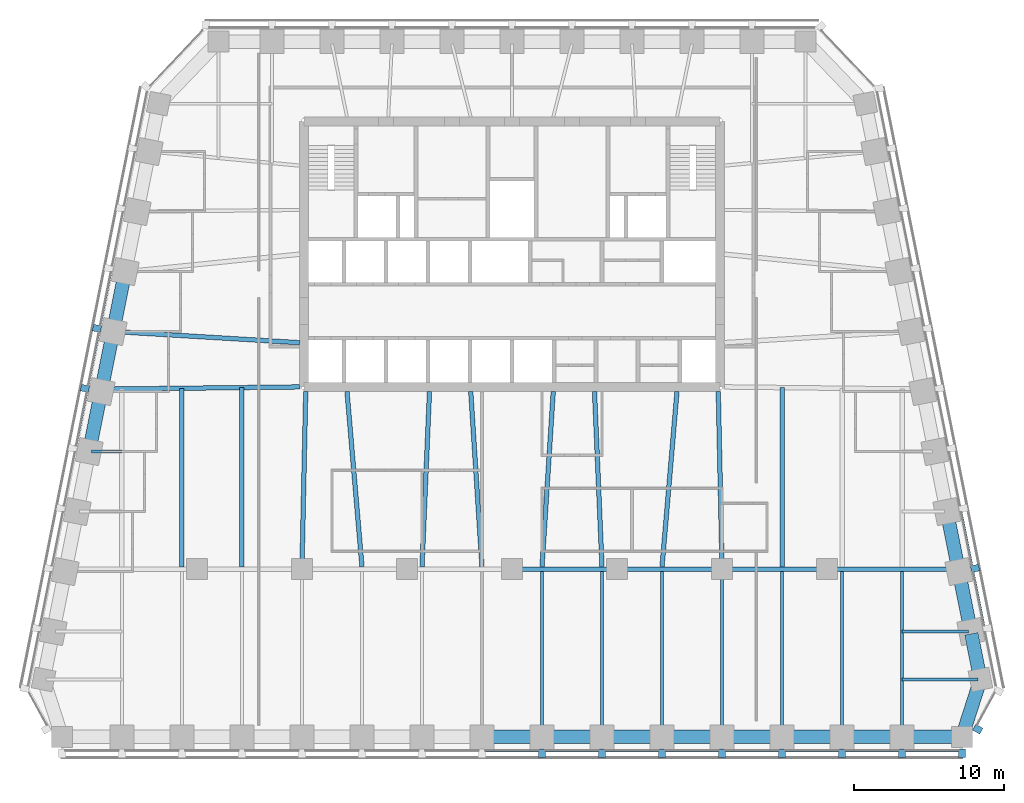
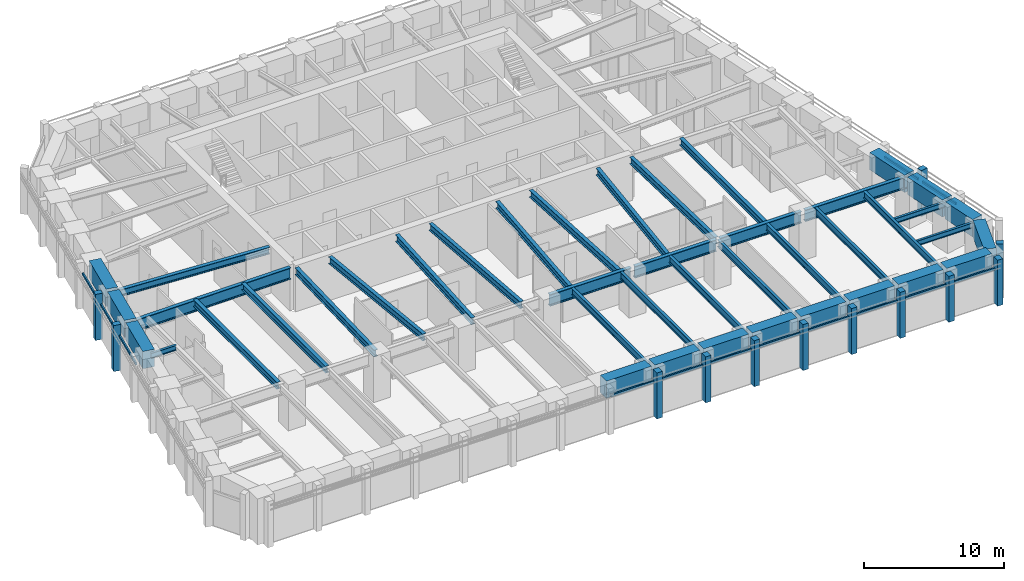
# One storey, part 2 of 10: 42 beams, 25 members, 4 elements without a shape of their own.
"""IFC4 building model written with IfcOpenShell, lengths in metres."""

from ifc_helpers import new_model, si_unit, direction, frame, origin, origin_2d, place, context, subcontext, project, spatial, rectangle, i_section, extrude, material, material_profile, profile_set, type_object, element, aggregate, save


model = new_model("IFC4")

# Units and contexts
model_context = context("Model", 3, precision=1e-05, world=origin(), true_north=direction((0.0, 1.0)))
body_context = subcontext(model_context, "Body", "Model", "MODEL_VIEW")
ifc_project = project(units=[si_unit("LENGTHUNIT", "METRE"), si_unit("AREAUNIT", "SQUARE_METRE"), si_unit("VOLUMEUNIT", "CUBIC_METRE"), si_unit("PLANEANGLEUNIT", "RADIAN"), si_unit("MASSUNIT", "GRAM", prefix="KILO")], contexts=[model_context])

# Site, building, storey
site_placement = place(None, origin())
site = spatial("IfcSite", under=ifc_project, at=site_placement, CompositionType="ELEMENT")
building_placement = place(site_placement, origin())
building = spatial("IfcBuilding", under=site, at=building_placement, Name="Isbrekke Arena Tower", CompositionType="ELEMENT")
storey_placement = place(building_placement, frame((0.0, 0.0, 194.0)))
storey = spatial("IfcBuildingStorey", under=building, at=storey_placement, Name="L44", CompositionType="ELEMENT", Elevation=194.0)

# Beams
ifc_material_1 = material(Name="Steel S355", Category="steel")
ifc_material_profile_1 = material_profile(ifc_material_1, i_section(OverallWidth=0.219970703125, OverallDepth=0.60009765625, WebThickness=0.011962890625, FlangeThickness=0.01904296875, FilletRadius=0.02392578125, at=origin_2d()), Name="IPE 600")
ifc_profile_set_1 = profile_set([ifc_material_profile_1], Name="Steel S355")
beam_type_1 = type_object("IfcBeamType", Name="B1 IPE 600", PredefinedType="BEAM", material=ifc_profile_set_1)
for number, where, z_axis, x_axis, name in (
    (1, (2.0, -17.02490234375, 3.550048828125), (0.0, 1.0, 0.0), (-1.0, 0.0, 0.0), "B1 beam S-S09 L44"),
    (2, (6.0, -17.02490234375, 3.550048828125), (0.0, 1.0, 0.0), (-1.0, 0.0, 0.0), "B1 beam S-S10 L44"),
    (3, (10.0, -17.02490234375, 3.550048828125), (0.0, 1.0, 0.0), (-1.0, 0.0, 0.0), "B1 beam S-S11 L44"),
):
    element("IfcBeam", number, at=place(storey_placement, frame(where, z_axis=z_axis, x_axis=x_axis)), inside=storey, type_object=beam_type_1, Name=name, PredefinedType="BEAM", context=body_context, shape_type="SweptSolid", body=[
        extrude(i_section(OverallWidth=0.219970703125, OverallDepth=0.60009765625, WebThickness=0.011962890625, FlangeThickness=0.01904296875, FilletRadius=0.02392578125, at=origin_2d()), origin(), (0.0, 0.0, 1.0), 10.8740234375),
    ])
beam_1_placement = place(storey_placement, frame((14.0, -17.02490234375, 3.550048828125), z_axis=(0.0, 1.0, 0.0), x_axis=(-1.0, 0.0, 0.0)))
element("IfcBeam", 4, at=beam_1_placement, inside=storey, type_object=beam_type_1, Name="B1 beam S-S12 L44", PredefinedType="BEAM", context=body_context, shape_type="SweptSolid", body=[
    extrude(i_section(OverallWidth=0.219970703125, OverallDepth=0.60009765625, WebThickness=0.011962890625, FlangeThickness=0.01904296875, FilletRadius=0.02392578125, at=origin_2d()), origin(), (0.0, 0.0, 1.0), 10.875),
])
for number, where, z_axis, x_axis, name in (
    (5, (18.0, -17.02490234375, 3.550048828125), (0.0, 1.0, 0.0), (-1.0, 0.0, 0.0), "B1 beam S-S13 L44"),
    (6, (22.0, -17.02490234375, 3.550048828125), (0.0, 1.0, 0.0), (-1.0, 0.0, 0.0), "B1 beam S-S14 L44"),
    (7, (26.0, -17.02490234375, 3.550048828125), (0.0, 1.0, 0.0), (-1.0, 0.0, 0.0), "B1 beam S-S15 L44"),
):
    element("IfcBeam", number, at=place(storey_placement, frame(where, z_axis=z_axis, x_axis=x_axis)), inside=storey, type_object=beam_type_1, Name=name, PredefinedType="BEAM", context=body_context, shape_type="SweptSolid", body=[
        extrude(i_section(OverallWidth=0.219970703125, OverallDepth=0.60009765625, WebThickness=0.011962890625, FlangeThickness=0.01904296875, FilletRadius=0.02392578125, at=origin_2d()), origin(), (0.0, 0.0, 1.0), 10.8740234375),
    ])
ifc_material_2 = material(Name="Steel S355", Category="steel")
ifc_material_profile_2 = material_profile(ifc_material_2, i_section(OverallWidth=0.18994140625, OverallDepth=0.449951171875, WebThickness=0.009521484375, FlangeThickness=0.0146484375, FilletRadius=0.02099609375, at=origin_2d()), Name="IPE 450")
ifc_profile_set_2 = profile_set([ifc_material_profile_2], Name="Steel S355")
beam_type_2 = type_object("IfcBeamType", Name="B2 IPE 450", PredefinedType="BEAM", material=ifc_profile_set_2)
beam_2_placement = place(storey_placement, frame((31.079345703125, -13.352783203125, 3.625), z_axis=(-1.0, 0.0, 0.0), x_axis=(0.0, -1.0, 0.0)))
element("IfcBeam", 8, at=beam_2_placement, inside=storey, type_object=beam_type_2, Name="B2 beam E-E01 L44", PredefinedType="BEAM", context=body_context, shape_type="SweptSolid", body=[
    extrude(i_section(OverallWidth=0.18994140625, OverallDepth=0.449951171875, WebThickness=0.009521484375, FlangeThickness=0.0146484375, FilletRadius=0.02099609375, at=origin_2d()), origin(), (0.0, 0.0, 1.0), 5.079345703125),
])
beam_3_placement = place(storey_placement, frame((30.44091796875, -10.161865234375, 3.625), z_axis=(-1.0, 0.0, 0.0), x_axis=(0.0, -1.0, 0.0)))
element("IfcBeam", 9, at=beam_3_placement, inside=storey, type_object=beam_type_2, Name="B2 beam E-E02 L44", PredefinedType="BEAM", context=body_context, shape_type="SweptSolid", body=[
    extrude(i_section(OverallWidth=0.18994140625, OverallDepth=0.449951171875, WebThickness=0.009521484375, FlangeThickness=0.0146484375, FilletRadius=0.02099609375, at=origin_2d()), origin(), (0.0, 0.0, 1.0), 4.44091796875),
])
beam_4_placement = place(storey_placement, frame((-28.041015625, 1.838134765625, 3.625), z_axis=(1.0, 0.0, 0.0), x_axis=(0.0, 1.0, 0.0)))
element("IfcBeam", 10, at=beam_4_placement, inside=storey, type_object=beam_type_2, Name="B2 beam E-W07 L44", PredefinedType="BEAM", context=body_context, shape_type="SweptSolid", body=[
    extrude(i_section(OverallWidth=0.18994140625, OverallDepth=0.449951171875, WebThickness=0.009521484375, FlangeThickness=0.0146484375, FilletRadius=0.02099609375, at=origin_2d()), origin(), (0.0, 0.0, 1.0), 2.041015625),
])
ifc_material_3 = material(Name="Steel S355", Category="steel")
ifc_material_profile_3 = material_profile(ifc_material_3, i_section(OverallWidth=0.300048828125, OverallDepth=0.60009765625, WebThickness=0.015380859375, FlangeThickness=0.030029296875, FilletRadius=0.027099609375, at=origin_2d()), Name="HEB 600")
ifc_profile_set_3 = profile_set([ifc_material_profile_3], Name="Steel S355")
beam_type_3 = type_object("IfcBeamType", Name="B7 HEB 600", PredefinedType="BEAM", material=ifc_profile_set_3)
beam_5_placement = place(storey_placement, frame((-22.0, -5.84912109375, 3.550048828125), z_axis=(0.0, 1.0, 0.0), x_axis=(-1.0, 0.0, 0.0)))
element("IfcBeam", 11, at=beam_5_placement, inside=storey, type_object=beam_type_3, Name="B7 beam C-M02 L44", PredefinedType="BEAM", context=body_context, shape_type="SweptSolid", body=[
    extrude(i_section(OverallWidth=0.300048828125, OverallDepth=0.60009765625, WebThickness=0.015380859375, FlangeThickness=0.030029296875, FilletRadius=0.027099609375, at=origin_2d()), origin(), (0.0, 0.0, 1.0), 11.91015625),
])
beam_6_placement = place(storey_placement, frame((-18.0, -5.84912109375, 3.550048828125), z_axis=(0.0, 1.0, 0.0), x_axis=(-1.0, 0.0, 0.0)))
element("IfcBeam", 12, at=beam_6_placement, inside=storey, type_object=beam_type_3, Name="B7 beam C-M03 L44", PredefinedType="BEAM", context=body_context, shape_type="SweptSolid", body=[
    extrude(i_section(OverallWidth=0.300048828125, OverallDepth=0.60009765625, WebThickness=0.015380859375, FlangeThickness=0.030029296875, FilletRadius=0.027099609375, at=origin_2d()), origin(), (0.0, 0.0, 1.0), 11.95556640625),
])
beam_7_placement = place(storey_placement, frame((-14.0, -5.8466796875, 3.550048828125), z_axis=(0.021368528218, 0.999771666933, 0.0), x_axis=(-0.999771666933, 0.021368528218, 0.0)))
element("IfcBeam", 13, at=beam_7_placement, inside=storey, type_object=beam_type_3, Name="B7 beam C-M04 L44", PredefinedType="BEAM", context=body_context, shape_type="SweptSolid", body=[
    extrude(i_section(OverallWidth=0.300048828125, OverallDepth=0.60009765625, WebThickness=0.015380859375, FlangeThickness=0.030029296875, FilletRadius=0.027099609375, at=origin_2d()), origin(), (0.0, 0.0, 1.0), 11.699462890625),
])
beam_8_placement = place(storey_placement, frame((-10.0009765625, -5.836181640625, 3.550048828125), z_axis=(-0.085176202372, 0.996365903948, 0.0), x_axis=(-0.996365903948, -0.085176202372, 0.0)))
element("IfcBeam", 14, at=beam_8_placement, inside=storey, type_object=beam_type_3, Name="B7 beam C-M05 L44", PredefinedType="BEAM", context=body_context, shape_type="SweptSolid", body=[
    extrude(i_section(OverallWidth=0.300048828125, OverallDepth=0.60009765625, WebThickness=0.015380859375, FlangeThickness=0.030029296875, FilletRadius=0.027099609375, at=origin_2d()), origin(), (0.0, 0.0, 1.0), 11.72900390625),
])
beam_9_placement = place(storey_placement, frame((-5.999755859375, -5.842529296875, 3.550048828125), z_axis=(0.042702124015, 0.999087848292, 0.0), x_axis=(-0.999087848292, 0.042702124015, 0.0)))
element("IfcBeam", 15, at=beam_9_placement, inside=storey, type_object=beam_type_3, Name="B7 beam C-M06 L44", PredefinedType="BEAM", context=body_context, shape_type="SweptSolid", body=[
    extrude(i_section(OverallWidth=0.300048828125, OverallDepth=0.60009765625, WebThickness=0.015380859375, FlangeThickness=0.030029296875, FilletRadius=0.027099609375, at=origin_2d()), origin(), (0.0, 0.0, 1.0), 11.703369140625),
])
for number, where, z_axis, x_axis, name in (
    (16, (-2.000732421875, -5.83935546875, 3.550048828125), (-0.063966475255, 0.997952047968, 0.0), (-0.997952047968, -0.063966475255, 0.0), "B7 beam C-M07 L44"),
    (17, (2.000732421875, -5.83935546875, 3.550048828125), (0.063966475255, 0.997952047968, 0.0), (-0.997952047968, 0.063966475255, 0.0), "B7 beam C-M08 L44"),
):
    element("IfcBeam", number, at=place(storey_placement, frame(where, z_axis=z_axis, x_axis=x_axis)), inside=storey, type_object=beam_type_3, Name=name, PredefinedType="BEAM", context=body_context, shape_type="SweptSolid", body=[
        extrude(i_section(OverallWidth=0.300048828125, OverallDepth=0.60009765625, WebThickness=0.015380859375, FlangeThickness=0.030029296875, FilletRadius=0.027099609375, at=origin_2d()), origin(), (0.0, 0.0, 1.0), 11.71337890625),
    ])
beam_10_placement = place(storey_placement, frame((5.999755859375, -5.842529296875, 3.550048828125), z_axis=(-0.042702124015, 0.999087848292, 0.0), x_axis=(-0.999087848292, -0.042702124015, 0.0)))
element("IfcBeam", 18, at=beam_10_placement, inside=storey, type_object=beam_type_3, Name="B7 beam C-M09 L44", PredefinedType="BEAM", context=body_context, shape_type="SweptSolid", body=[
    extrude(i_section(OverallWidth=0.300048828125, OverallDepth=0.60009765625, WebThickness=0.015380859375, FlangeThickness=0.030029296875, FilletRadius=0.027099609375, at=origin_2d()), origin(), (0.0, 0.0, 1.0), 11.703369140625),
])
beam_11_placement = place(storey_placement, frame((10.0009765625, -5.836181640625, 3.550048828125), z_axis=(0.085176202372, 0.996365903948, 0.0), x_axis=(-0.996365903948, 0.085176202372, 0.0)))
element("IfcBeam", 19, at=beam_11_placement, inside=storey, type_object=beam_type_3, Name="B7 beam C-M10 L44", PredefinedType="BEAM", context=body_context, shape_type="SweptSolid", body=[
    extrude(i_section(OverallWidth=0.300048828125, OverallDepth=0.60009765625, WebThickness=0.015380859375, FlangeThickness=0.030029296875, FilletRadius=0.027099609375, at=origin_2d()), origin(), (0.0, 0.0, 1.0), 11.72900390625),
])
beam_12_placement = place(storey_placement, frame((14.0, -5.8466796875, 3.550048828125), z_axis=(-0.021368528218, 0.999771666933, 0.0), x_axis=(-0.999771666933, -0.021368528218, 0.0)))
element("IfcBeam", 20, at=beam_12_placement, inside=storey, type_object=beam_type_3, Name="B7 beam C-M11 L44", PredefinedType="BEAM", context=body_context, shape_type="SweptSolid", body=[
    extrude(i_section(OverallWidth=0.300048828125, OverallDepth=0.60009765625, WebThickness=0.015380859375, FlangeThickness=0.030029296875, FilletRadius=0.027099609375, at=origin_2d()), origin(), (0.0, 0.0, 1.0), 11.699462890625),
])
beam_13_placement = place(storey_placement, frame((18.0, -5.84912109375, 3.550048828125), z_axis=(0.0, 1.0, 0.0), x_axis=(-1.0, 0.0, 0.0)))
element("IfcBeam", 21, at=beam_13_placement, inside=storey, type_object=beam_type_3, Name="B7 beam C-M12 L44", PredefinedType="BEAM", context=body_context, shape_type="SweptSolid", body=[
    extrude(i_section(OverallWidth=0.300048828125, OverallDepth=0.60009765625, WebThickness=0.015380859375, FlangeThickness=0.030029296875, FilletRadius=0.027099609375, at=origin_2d()), origin(), (0.0, 0.0, 1.0), 11.95556640625),
])
beam_14_placement = place(storey_placement, frame((-26.43212890625, 9.837646484375, 3.550048828125), z_axis=(0.998201854902, -0.059942112659, 0.0), x_axis=(0.059942112659, 0.998201854902, 0.0)))
element("IfcBeam", 22, at=beam_14_placement, inside=storey, type_object=beam_type_3, Name="B7 beam E-W05 L44", PredefinedType="BEAM", context=body_context, shape_type="SweptSolid", body=[
    extrude(i_section(OverallWidth=0.300048828125, OverallDepth=0.60009765625, WebThickness=0.015380859375, FlangeThickness=0.030029296875, FilletRadius=0.027099609375, at=origin_2d()), origin(), (0.0, 0.0, 1.0), 12.304443359375),
])

# Curtain wall, members
ifc_material_4 = material(Name="Glazed aluminium curtain wall", Category="aluminium")
curtain_wall_type = type_object("IfcCurtainWallType", Name="CWH TOWER CURTAIN WALL HIGH ZONE", PredefinedType="USERDEFINED", material=ifc_material_4)
curtain_wall_1_placement = place(storey_placement, origin())
curtain_wall_1 = element("IfcCurtainWall", 23, at=curtain_wall_1_placement, inside=storey, type_object=curtain_wall_type, Name="CWH curtain wall L44-S", ObjectType="TOWER CURTAIN WALL HIGH ZONE", PredefinedType="USERDEFINED")
ifc_material_5 = material(Name="Aluminium mullion, pale brick slip cladding", Category="masonry")
ifc_material_profile_4 = material_profile(ifc_material_5, rectangle(XDim=0.449951171875, YDim=0.550048828125, at=origin_2d()), Name="PIER 450X550")
ifc_profile_set_4 = profile_set([ifc_material_profile_4], Name="Aluminium mullion, pale brick slip cladding")
member_type_1 = type_object("IfcMemberType", Name="CWH-M PIER MULLION 450 x 550", PredefinedType="MULLION", material=ifc_profile_set_4)
member_1_placement = place(storey_placement, frame((2.0, -18.27490234375, 0.0), z_axis=(0.0, 0.0, 1.0), x_axis=(1.0, 0.0, 0.0)))
member_1 = element("IfcMember", 24, at=member_1_placement, type_object=member_type_1, Name="CWH-M mullion 9", PredefinedType="MULLION", context=body_context, shape_type="SweptSolid", body=[
    extrude(rectangle(XDim=0.449951171875, YDim=0.550048828125, at=origin_2d()), origin(), (0.0, 0.0, 1.0), 4.0),
])
member_2_placement = place(storey_placement, frame((6.0, -18.27490234375, 0.0), z_axis=(0.0, 0.0, 1.0), x_axis=(1.0, 0.0, 0.0)))
member_2 = element("IfcMember", 25, at=member_2_placement, type_object=member_type_1, Name="CWH-M mullion 10", PredefinedType="MULLION", context=body_context, shape_type="SweptSolid", body=[
    extrude(rectangle(XDim=0.449951171875, YDim=0.550048828125, at=origin_2d()), origin(), (0.0, 0.0, 1.0), 4.0),
])
member_3_placement = place(storey_placement, frame((10.0, -18.27490234375, 0.0), z_axis=(0.0, 0.0, 1.0), x_axis=(1.0, 0.0, 0.0)))
member_3 = element("IfcMember", 26, at=member_3_placement, type_object=member_type_1, Name="CWH-M mullion 11", PredefinedType="MULLION", context=body_context, shape_type="SweptSolid", body=[
    extrude(rectangle(XDim=0.449951171875, YDim=0.550048828125, at=origin_2d()), origin(), (0.0, 0.0, 1.0), 4.0),
])
member_4_placement = place(storey_placement, frame((14.0, -18.27490234375, 0.0), z_axis=(0.0, 0.0, 1.0), x_axis=(1.0, 0.0, 0.0)))
member_4 = element("IfcMember", 27, at=member_4_placement, type_object=member_type_1, Name="CWH-M mullion 12", PredefinedType="MULLION", context=body_context, shape_type="SweptSolid", body=[
    extrude(rectangle(XDim=0.449951171875, YDim=0.550048828125, at=origin_2d()), origin(), (0.0, 0.0, 1.0), 4.0),
])
member_5_placement = place(storey_placement, frame((18.0, -18.27490234375, 0.0), z_axis=(0.0, 0.0, 1.0), x_axis=(1.0, 0.0, 0.0)))
member_5 = element("IfcMember", 28, at=member_5_placement, type_object=member_type_1, Name="CWH-M mullion 13", PredefinedType="MULLION", context=body_context, shape_type="SweptSolid", body=[
    extrude(rectangle(XDim=0.449951171875, YDim=0.550048828125, at=origin_2d()), origin(), (0.0, 0.0, 1.0), 4.0),
])
member_6_placement = place(storey_placement, frame((22.0, -18.27490234375, 0.0), z_axis=(0.0, 0.0, 1.0), x_axis=(1.0, 0.0, 0.0)))
member_6 = element("IfcMember", 29, at=member_6_placement, type_object=member_type_1, Name="CWH-M mullion 14", PredefinedType="MULLION", context=body_context, shape_type="SweptSolid", body=[
    extrude(rectangle(XDim=0.449951171875, YDim=0.550048828125, at=origin_2d()), origin(), (0.0, 0.0, 1.0), 4.0),
])
member_7_placement = place(storey_placement, frame((26.0, -18.27490234375, 0.0), z_axis=(0.0, 0.0, 1.0), x_axis=(1.0, 0.0, 0.0)))
member_7 = element("IfcMember", 30, at=member_7_placement, type_object=member_type_1, Name="CWH-M mullion 15", PredefinedType="MULLION", context=body_context, shape_type="SweptSolid", body=[
    extrude(rectangle(XDim=0.449951171875, YDim=0.550048828125, at=origin_2d()), origin(), (0.0, 0.0, 1.0), 4.0),
])
member_8_placement = place(storey_placement, frame((30.0, -18.27490234375, 0.0), z_axis=(0.0, 0.0, 1.0), x_axis=(1.0, 0.0, 0.0)))
member_8 = element("IfcMember", 31, at=member_8_placement, type_object=member_type_1, Name="CWH-M mullion 16", PredefinedType="MULLION", context=body_context, shape_type="SweptSolid", body=[
    extrude(rectangle(XDim=0.449951171875, YDim=0.550048828125, at=origin_2d()), origin(), (0.0, 0.0, 1.0), 4.0),
])

# Curtain wall, member
curtain_wall_2_placement = place(storey_placement, origin())
curtain_wall_2 = element("IfcCurtainWall", 32, at=curtain_wall_2_placement, inside=storey, type_object=curtain_wall_type, Name="CWH curtain wall L44-SE", ObjectType="TOWER CURTAIN WALL HIGH ZONE", PredefinedType="USERDEFINED")
member_9_placement = place(storey_placement, frame((31.047119140625, -16.666748046875, 0.0), z_axis=(0.0, 0.0, 1.0), x_axis=(0.481918749773, 0.876215908676, 0.0)))
member_9 = element("IfcMember", 33, at=member_9_placement, type_object=member_type_1, Name="CWH-M mullion 1", PredefinedType="MULLION", context=body_context, shape_type="SweptSolid", body=[
    extrude(rectangle(XDim=0.449951171875, YDim=0.550048828125, at=origin_2d()), origin(), (0.0, 0.0, 1.0), 4.0),
])
aggregate(curtain_wall_2, [member_9])

curtain_wall_3_placement = place(storey_placement, origin())
curtain_wall_3 = element("IfcCurtainWall", 34, at=curtain_wall_3_placement, inside=storey, type_object=curtain_wall_type, Name="CWH curtain wall L44-E", ObjectType="TOWER CURTAIN WALL HIGH ZONE", PredefinedType="USERDEFINED")
member_10_placement = place(storey_placement, frame((30.86962890625, -5.946044921875, 0.0), z_axis=(0.0, 0.0, 1.0), x_axis=(-0.196116135138, 0.980580675691, 0.0)))
member_10 = element("IfcMember", 35, at=member_10_placement, type_object=member_type_1, Name="CWH-M mullion 2", PredefinedType="MULLION", context=body_context, shape_type="SweptSolid", body=[
    extrude(rectangle(XDim=0.449951171875, YDim=0.550048828125, at=origin_2d()), origin(), (0.0, 0.0, 1.0), 4.0),
])

# Curtain wall, members
curtain_wall_4_placement = place(storey_placement, origin())
curtain_wall_4 = element("IfcCurtainWall", 36, at=curtain_wall_4_placement, inside=storey, type_object=curtain_wall_type, Name="CWH curtain wall L44-W", ObjectType="TOWER CURTAIN WALL HIGH ZONE", PredefinedType="USERDEFINED")
member_11_placement = place(storey_placement, frame((-27.669677734375, 10.053955078125, 0.0), z_axis=(0.0, 0.0, 1.0), x_axis=(-0.196116135138, -0.980580675691, 0.0)))
member_11 = element("IfcMember", 37, at=member_11_placement, type_object=member_type_1, Name="CWH-M mullion 4", PredefinedType="MULLION", context=body_context, shape_type="SweptSolid", body=[
    extrude(rectangle(XDim=0.449951171875, YDim=0.550048828125, at=origin_2d()), origin(), (0.0, 0.0, 1.0), 4.0),
])
member_12_placement = place(storey_placement, frame((-28.4697265625, 6.053955078125, 0.0), z_axis=(0.0, 0.0, 1.0), x_axis=(-0.196116135138, -0.980580675691, 0.0)))
member_12 = element("IfcMember", 38, at=member_12_placement, type_object=member_type_1, Name="CWH-M mullion 5", PredefinedType="MULLION", context=body_context, shape_type="SweptSolid", body=[
    extrude(rectangle(XDim=0.449951171875, YDim=0.550048828125, at=origin_2d()), origin(), (0.0, 0.0, 1.0), 4.0),
])

# Member
ifc_material_6 = material(Name="Aluminium transom", Category="aluminium")
ifc_material_profile_5 = material_profile(ifc_material_6, rectangle(XDim=0.1201171875, YDim=0.199951171875, at=origin_2d()), Name="TRANSOM 120X200")
ifc_profile_set_5 = profile_set([ifc_material_profile_5], Name="Aluminium transom")
member_type_2 = type_object("IfcMemberType", Name="CWH-T TRANSOM 120 x 200", PredefinedType="USERDEFINED", material=ifc_profile_set_5)
member_13_placement = place(storey_placement, frame((-1.77490234375, -18.10009765625, 3.0), z_axis=(1.0, 0.0, 0.0), x_axis=(0.0, 1.0, 0.0)))
member_13 = element("IfcMember", 39, at=member_13_placement, type_object=member_type_2, Name="CWH-T transom 8", ObjectType="TRANSOM", PredefinedType="USERDEFINED", context=body_context, shape_type="SweptSolid", body=[
    extrude(rectangle(XDim=0.1201171875, YDim=0.199951171875, at=origin_2d()), origin(), (0.0, 0.0, 1.0), 3.5498046875),
])

member_14_placement = place(storey_placement, frame((2.22509765625, -18.10009765625, 3.0), z_axis=(1.0, 0.0, 0.0), x_axis=(0.0, 1.0, 0.0)))
member_14 = element("IfcMember", 40, at=member_14_placement, type_object=member_type_2, Name="CWH-T transom 9", ObjectType="TRANSOM", PredefinedType="USERDEFINED", context=body_context, shape_type="SweptSolid", body=[
    extrude(rectangle(XDim=0.1201171875, YDim=0.199951171875, at=origin_2d()), origin(), (0.0, 0.0, 1.0), 3.5498046875),
])

member_15_placement = place(storey_placement, frame((6.22509765625, -18.10009765625, 3.0), z_axis=(1.0, 0.0, 0.0), x_axis=(0.0, 1.0, 0.0)))
member_15 = element("IfcMember", 41, at=member_15_placement, type_object=member_type_2, Name="CWH-T transom 10", ObjectType="TRANSOM", PredefinedType="USERDEFINED", context=body_context, shape_type="SweptSolid", body=[
    extrude(rectangle(XDim=0.1201171875, YDim=0.199951171875, at=origin_2d()), origin(), (0.0, 0.0, 1.0), 3.5498046875),
])

member_16_placement = place(storey_placement, frame((10.22509765625, -18.10009765625, 3.0), z_axis=(1.0, 0.0, 0.0), x_axis=(0.0, 1.0, 0.0)))
member_16 = element("IfcMember", 42, at=member_16_placement, type_object=member_type_2, Name="CWH-T transom 11", ObjectType="TRANSOM", PredefinedType="USERDEFINED", context=body_context, shape_type="SweptSolid", body=[
    extrude(rectangle(XDim=0.1201171875, YDim=0.199951171875, at=origin_2d()), origin(), (0.0, 0.0, 1.0), 3.5498046875),
])

member_17_placement = place(storey_placement, frame((14.22509765625, -18.10009765625, 3.0), z_axis=(1.0, 0.0, 0.0), x_axis=(0.0, 1.0, 0.0)))
member_17 = element("IfcMember", 43, at=member_17_placement, type_object=member_type_2, Name="CWH-T transom 12", ObjectType="TRANSOM", PredefinedType="USERDEFINED", context=body_context, shape_type="SweptSolid", body=[
    extrude(rectangle(XDim=0.1201171875, YDim=0.199951171875, at=origin_2d()), origin(), (0.0, 0.0, 1.0), 3.5498046875),
])

member_18_placement = place(storey_placement, frame((18.22509765625, -18.10009765625, 3.0), z_axis=(1.0, 0.0, 0.0), x_axis=(0.0, 1.0, 0.0)))
member_18 = element("IfcMember", 44, at=member_18_placement, type_object=member_type_2, Name="CWH-T transom 13", ObjectType="TRANSOM", PredefinedType="USERDEFINED", context=body_context, shape_type="SweptSolid", body=[
    extrude(rectangle(XDim=0.1201171875, YDim=0.199951171875, at=origin_2d()), origin(), (0.0, 0.0, 1.0), 3.5498046875),
])

member_19_placement = place(storey_placement, frame((22.22509765625, -18.10009765625, 3.0), z_axis=(1.0, 0.0, 0.0), x_axis=(0.0, 1.0, 0.0)))
member_19 = element("IfcMember", 45, at=member_19_placement, type_object=member_type_2, Name="CWH-T transom 14", ObjectType="TRANSOM", PredefinedType="USERDEFINED", context=body_context, shape_type="SweptSolid", body=[
    extrude(rectangle(XDim=0.1201171875, YDim=0.199951171875, at=origin_2d()), origin(), (0.0, 0.0, 1.0), 3.5498046875),
])

member_20_placement = place(storey_placement, frame((26.22509765625, -18.10009765625, 3.0), z_axis=(1.0, 0.0, 0.0), x_axis=(0.0, 1.0, 0.0)))
member_20 = element("IfcMember", 46, at=member_20_placement, type_object=member_type_2, Name="CWH-T transom 15", ObjectType="TRANSOM", PredefinedType="USERDEFINED", context=body_context, shape_type="SweptSolid", body=[
    extrude(rectangle(XDim=0.1201171875, YDim=0.199951171875, at=origin_2d()), origin(), (0.0, 0.0, 1.0), 3.5498046875),
])

aggregate(curtain_wall_1, [member_1, member_2, member_3, member_4, member_5, member_6, member_7, member_8, member_13, member_14, member_15, member_16, member_17, member_18, member_19, member_20])

member_21_placement = place(storey_placement, frame((31.453857421875, -9.759765625, 3.0), z_axis=(-0.196090262229, 0.980585849918, 0.0), x_axis=(-0.980585849918, -0.196090262229, 0.0)))
member_21 = element("IfcMember", 47, at=member_21_placement, type_object=member_type_2, Name="CWH-T transom 2", ObjectType="TRANSOM", PredefinedType="USERDEFINED", context=body_context, shape_type="SweptSolid", body=[
    extrude(rectangle(XDim=0.1201171875, YDim=0.199951171875, at=origin_2d()), origin(), (0.0, 0.0, 1.0), 3.62939453125),
])

member_22_placement = place(storey_placement, frame((30.654052734375, -5.759765625, 3.0), z_axis=(-0.196154943734, 0.980572913173, 0.0), x_axis=(-0.980572913173, -0.196154943734, 0.0)))
member_22 = element("IfcMember", 48, at=member_22_placement, type_object=member_type_2, Name="CWH-T transom 3", ObjectType="TRANSOM", PredefinedType="USERDEFINED", context=body_context, shape_type="SweptSolid", body=[
    extrude(rectangle(XDim=0.1201171875, YDim=0.199951171875, at=origin_2d()), origin(), (0.0, 0.0, 1.0), 3.62939453125),
])

aggregate(curtain_wall_3, [member_10, member_21, member_22])

member_23_placement = place(storey_placement, frame((-26.7421875, 13.799072265625, 3.0), z_axis=(-0.196090262229, -0.980585849918, 0.0), x_axis=(0.980585849918, -0.196090262229, 0.0)))
member_23 = element("IfcMember", 49, at=member_23_placement, type_object=member_type_2, Name="CWH-T transom 4", ObjectType="TRANSOM", PredefinedType="USERDEFINED", context=body_context, shape_type="SweptSolid", body=[
    extrude(rectangle(XDim=0.1201171875, YDim=0.199951171875, at=origin_2d()), origin(), (0.0, 0.0, 1.0), 3.62939453125),
])

member_24_placement = place(storey_placement, frame((-27.542236328125, 9.799072265625, 3.0), z_axis=(-0.196090262229, -0.980585849918, 0.0), x_axis=(0.980585849918, -0.196090262229, 0.0)))
member_24 = element("IfcMember", 50, at=member_24_placement, type_object=member_type_2, Name="CWH-T transom 5", ObjectType="TRANSOM", PredefinedType="USERDEFINED", context=body_context, shape_type="SweptSolid", body=[
    extrude(rectangle(XDim=0.1201171875, YDim=0.199951171875, at=origin_2d()), origin(), (0.0, 0.0, 1.0), 3.62939453125),
])

member_25_placement = place(storey_placement, frame((-28.34228515625, 5.799072265625, 3.0), z_axis=(-0.196090262229, -0.980585849918, 0.0), x_axis=(0.980585849918, -0.196090262229, 0.0)))
member_25 = element("IfcMember", 51, at=member_25_placement, type_object=member_type_2, Name="CWH-T transom 6", ObjectType="TRANSOM", PredefinedType="USERDEFINED", context=body_context, shape_type="SweptSolid", body=[
    extrude(rectangle(XDim=0.1201171875, YDim=0.199951171875, at=origin_2d()), origin(), (0.0, 0.0, 1.0), 3.62939453125),
])

aggregate(curtain_wall_4, [member_11, member_12, member_23, member_24, member_25])

# Beams
ifc_material_7 = material(Name="Steel S355", Category="steel")
ifc_material_profile_6 = material_profile(ifc_material_7, i_section(OverallWidth=0.302001953125, OverallDepth=1.008056640625, WebThickness=0.02099609375, FlangeThickness=0.0400390625, FilletRadius=0.030029296875, at=origin_2d()), Name="HEM 1000")
ifc_profile_set_6 = profile_set([ifc_material_profile_6], Name="Steel S355")
beam_type_4 = type_object("IfcBeamType", Name="G1 HEM 1000", PredefinedType="BEAM", material=ifc_profile_set_6)
for number, where, z_axis, x_axis, name in (
    (52, (0.14990234375, -6.0, 3.345947265625), (1.0, 0.0, 0.0), (0.0, 1.0, 0.0), "G1 beam G1-05 L44"),
    (53, (7.14990234375, -6.0, 3.345947265625), (1.0, 0.0, 0.0), (0.0, 1.0, 0.0), "G1 beam G1-06 L44"),
    (54, (14.14990234375, -6.0, 3.345947265625), (1.0, 0.0, 0.0), (0.0, 1.0, 0.0), "G1 beam G1-07 L44"),
):
    element("IfcBeam", number, at=place(storey_placement, frame(where, z_axis=z_axis, x_axis=x_axis)), inside=storey, type_object=beam_type_4, Name=name, PredefinedType="BEAM", context=body_context, shape_type="SweptSolid", body=[
        extrude(i_section(OverallWidth=0.302001953125, OverallDepth=1.008056640625, WebThickness=0.02099609375, FlangeThickness=0.0400390625, FilletRadius=0.030029296875, at=origin_2d()), origin(), (0.0, 0.0, 1.0), 6.7001953125),
    ])
beam_15_placement = place(storey_placement, frame((21.14990234375, -6.0, 3.345947265625), z_axis=(1.0, 0.0, 0.0), x_axis=(0.0, 1.0, 0.0)))
element("IfcBeam", 55, at=beam_15_placement, inside=storey, type_object=beam_type_4, Name="G1 beam G1-08 L44", PredefinedType="BEAM", context=body_context, shape_type="SweptSolid", body=[
    extrude(i_section(OverallWidth=0.302001953125, OverallDepth=1.008056640625, WebThickness=0.02099609375, FlangeThickness=0.0400390625, FilletRadius=0.030029296875, at=origin_2d()), origin(), (0.0, 0.0, 1.0), 8.64111328125),
])
ifc_material_8 = material(Name="Steel S355", Category="steel")
ifc_material_profile_7 = material_profile(ifc_material_8, i_section(OverallWidth=0.302001953125, OverallDepth=1.008056640625, WebThickness=0.02099609375, FlangeThickness=0.0400390625, FilletRadius=0.030029296875, at=origin_2d()), Name="HEM 1000")
ifc_profile_set_7 = profile_set([ifc_material_profile_7], Name="Steel S355")
beam_type_5 = type_object("IfcBeamType", Name="G2 HEM 1000", PredefinedType="BEAM", material=ifc_profile_set_7)
beam_16_placement = place(storey_placement, frame((-14.14990234375, 6.14990234375, 3.345947265625), z_axis=(-0.999935908299, -0.011321629528, 0.0), x_axis=(0.011321629528, -0.999935908299, 0.0)))
element("IfcBeam", 56, at=beam_16_placement, inside=storey, type_object=beam_type_5, Name="G2 beam G2-W L44", PredefinedType="BEAM", context=body_context, shape_type="SweptSolid", body=[
    extrude(i_section(OverallWidth=0.302001953125, OverallDepth=1.008056640625, WebThickness=0.02099609375, FlangeThickness=0.0400390625, FilletRadius=0.030029296875, at=origin_2d()), origin(), (0.0, 0.0, 1.0), 13.240234375),
])
ifc_material_9 = material(Name="Concrete B65 (C65/80)", Category="concrete")
ifc_material_profile_8 = material_profile(ifc_material_9, rectangle(XDim=0.89990234375, YDim=1.5, at=origin_2d()), Name="RC 900x1500")
ifc_profile_set_8 = profile_set([ifc_material_profile_8], Name="Concrete B65 (C65/80)")
beam_type_6 = type_object("IfcBeamType", Name="SB3 RC 900 x 1500", PredefinedType="SPANDREL", material=ifc_profile_set_8)
for number, where, z_axis, x_axis, name in (
    (57, (-1.85009765625, -17.175048828125, 3.25), (1.0, 0.0, 0.0), (0.0, 1.0, 0.0), "SB3 spandrel S08-S09 L44"),
    (58, (2.14990234375, -17.175048828125, 3.25), (1.0, 0.0, 0.0), (0.0, 1.0, 0.0), "SB3 spandrel S09-S10 L44"),
    (59, (6.14990234375, -17.175048828125, 3.25), (1.0, 0.0, 0.0), (0.0, 1.0, 0.0), "SB3 spandrel S10-S11 L44"),
    (60, (10.14990234375, -17.175048828125, 3.25), (1.0, 0.0, 0.0), (0.0, 1.0, 0.0), "SB3 spandrel S11-S12 L44"),
    (61, (14.14990234375, -17.175048828125, 3.25), (1.0, 0.0, 0.0), (0.0, 1.0, 0.0), "SB3 spandrel S12-S13 L44"),
    (62, (18.14990234375, -17.175048828125, 3.25), (1.0, 0.0, 0.0), (0.0, 1.0, 0.0), "SB3 spandrel S13-S14 L44"),
    (63, (22.14990234375, -17.175048828125, 3.25), (1.0, 0.0, 0.0), (0.0, 1.0, 0.0), "SB3 spandrel S14-S15 L44"),
    (64, (26.14990234375, -17.175048828125, 3.25), (1.0, 0.0, 0.0), (0.0, 1.0, 0.0), "SB3 spandrel S15-S16 L44"),
):
    element("IfcBeam", number, at=place(storey_placement, frame(where, z_axis=z_axis, x_axis=x_axis)), inside=storey, type_object=beam_type_6, Name=name, PredefinedType="SPANDREL", context=body_context, shape_type="SweptSolid", body=[
        extrude(rectangle(XDim=0.89990234375, YDim=1.5, at=origin_2d()), origin(), (0.0, 0.0, 1.0), 3.7001953125),
    ])
beam_17_placement = place(storey_placement, frame((30.0458984375, -17.0322265625, 3.25), z_axis=(0.306175101476, 0.951975213562, 0.0), x_axis=(-0.951975213562, 0.306175101476, 0.0)))
element("IfcBeam", 65, at=beam_17_placement, inside=storey, type_object=beam_type_6, Name="SB3 spandrel S16-E01 L44", PredefinedType="SPANDREL", context=body_context, shape_type="SweptSolid", body=[
    extrude(rectangle(XDim=0.89990234375, YDim=1.5, at=origin_2d()), origin(), (0.0, 0.0, 1.0), 3.715087890625),
])
beam_18_placement = place(storey_placement, frame((31.19970703125, -13.205810546875, 3.25), z_axis=(-0.196100243168, 0.980583853951, 0.0), x_axis=(-0.980583853951, -0.196100243168, 0.0)))
element("IfcBeam", 66, at=beam_18_placement, inside=storey, type_object=beam_type_6, Name="SB3 spandrel E01-E02 L44", PredefinedType="SPANDREL", context=body_context, shape_type="SweptSolid", body=[
    extrude(rectangle(XDim=0.89990234375, YDim=1.5, at=origin_2d()), origin(), (0.0, 0.0, 1.0), 2.954345703125),
])
beam_19_placement = place(storey_placement, frame((30.5615234375, -10.0146484375, 3.25), z_axis=(-0.1960664412, 0.980590613169, 0.0), x_axis=(-0.980590613169, -0.1960664412, 0.0)))
element("IfcBeam", 67, at=beam_19_placement, inside=storey, type_object=beam_type_6, Name="SB3 spandrel E02-E03 L44", PredefinedType="SPANDREL", context=body_context, shape_type="SweptSolid", body=[
    extrude(rectangle(XDim=0.89990234375, YDim=1.5, at=origin_2d()), origin(), (0.0, 0.0, 1.0), 3.779052734375),
])
beam_20_placement = place(storey_placement, frame((29.76171875, -6.0146484375, 3.25), z_axis=(-0.196128558387, 0.980578190959, 0.0), x_axis=(-0.980578190959, -0.196128558387, 0.0)))
element("IfcBeam", 68, at=beam_20_placement, inside=storey, type_object=beam_type_6, Name="SB3 spandrel E03-E04 L44", PredefinedType="SPANDREL", context=body_context, shape_type="SweptSolid", body=[
    extrude(rectangle(XDim=0.89990234375, YDim=1.5, at=origin_2d()), origin(), (0.0, 0.0, 1.0), 3.779296875),
])
beam_21_placement = place(storey_placement, frame((-25.820556640625, 13.691162109375, 3.25), z_axis=(-0.1960664412, -0.980590613169, 0.0), x_axis=(0.980590613169, -0.1960664412, 0.0)))
element("IfcBeam", 69, at=beam_21_placement, inside=storey, type_object=beam_type_6, Name="SB3 spandrel W04-W05 L44", PredefinedType="SPANDREL", context=body_context, shape_type="SweptSolid", body=[
    extrude(rectangle(XDim=0.89990234375, YDim=1.5, at=origin_2d()), origin(), (0.0, 0.0, 1.0), 3.779052734375),
])
for number, where, z_axis, x_axis, name in (
    (70, (-26.620361328125, 9.691162109375, 3.25), (-0.196128558387, -0.980578190959, 0.0), (0.980578190959, -0.196128558387, 0.0), "SB3 spandrel W05-W06 L44"),
    (71, (-27.42041015625, 5.691162109375, 3.25), (-0.196128558387, -0.980578190959, 0.0), (0.980578190959, -0.196128558387, 0.0), "SB3 spandrel W06-W07 L44"),
):
    element("IfcBeam", number, at=place(storey_placement, frame(where, z_axis=z_axis, x_axis=x_axis)), inside=storey, type_object=beam_type_6, Name=name, PredefinedType="SPANDREL", context=body_context, shape_type="SweptSolid", body=[
        extrude(rectangle(XDim=0.89990234375, YDim=1.5, at=origin_2d()), origin(), (0.0, 0.0, 1.0), 3.779296875),
    ])

save(model, "model.ifc")
